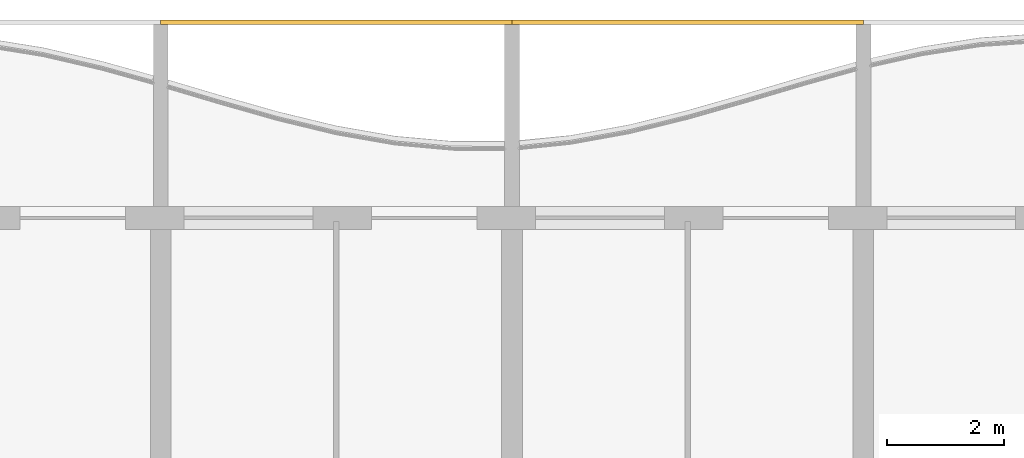
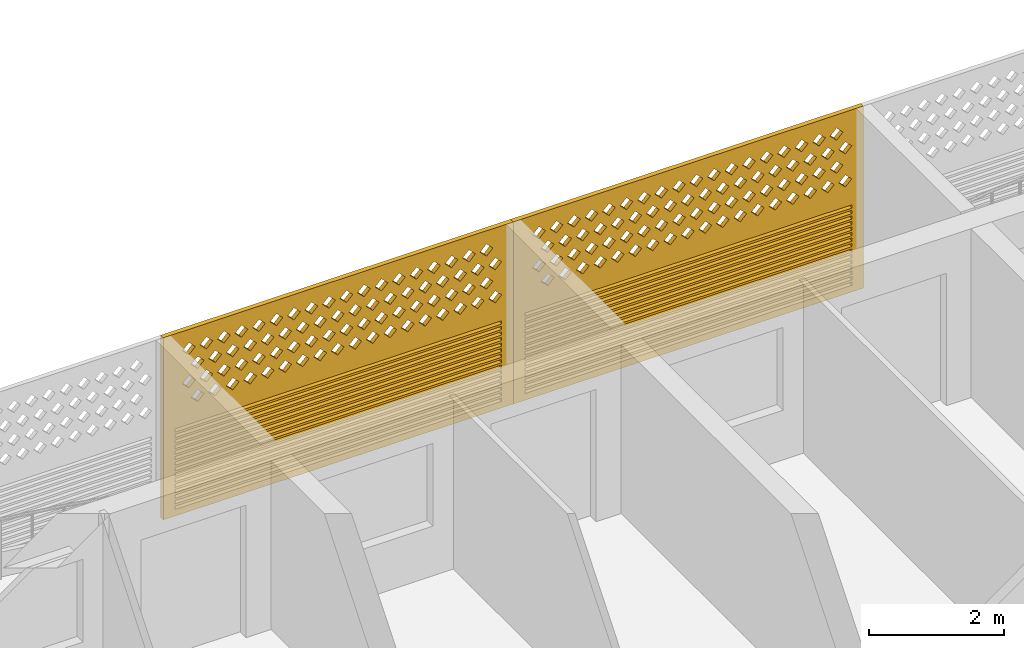
# One storey, part 28 of 30: 2 coverings.
"""IFC4 building model written with IfcOpenShell, lengths in metres."""

import ifcopenshell
import ifcopenshell.guid

model = None  # the IFC model being written
_history = None  # IfcOwnerHistory: only IFC2X3 demands one
_inside = {}  # id of a spatial element -> (the spatial element, [elements in it])
_under = {}  # id of a project, library or spatial element -> (it, [spatial elements below it])
_declared = {}  # id of a project -> (the project, [libraries it declares])
_typed = {}  # id of a type object -> (the type object, [elements of that type])
_made_of = {}  # id of a material, layer set ... -> (it, [elements and type objects made of it])


def new_model(schema):
    """Start an empty IFC model of exactly this schema.

    Asked for "IFC4X3", IfcOpenShell would pick the latest addendum, in which some entities
    have other attributes; the version numbers below select the first issue.
    IFC2X3 requires an IfcOwnerHistory on every rooted entity: one is made here for all.
    """
    global model, _history
    if schema == "IFC4X3":
        model = ifcopenshell.file(schema_version=(4, 3, 0, 0))
    else:
        model = ifcopenshell.file(schema=schema)
    _inside.clear()
    _under.clear()
    _declared.clear()
    _typed.clear()
    _made_of.clear()
    _history = None
    if model.schema == "IFC2X3":
        org = make("IfcOrganization", Name="unknown")
        user = make(
            "IfcPersonAndOrganization",
            ThePerson=make("IfcPerson", FamilyName="unknown"),
            TheOrganization=org,
        )
        app = make(
            "IfcApplication",
            ApplicationDeveloper=org,
            Version="unknown",
            ApplicationFullName="unknown",
            ApplicationIdentifier="unknown",
        )
        _history = make(
            "IfcOwnerHistory",
            OwningUser=user,
            OwningApplication=app,
            ChangeAction="ADDED",
            CreationDate=0,
        )
    return model


def make(cls, **values):
    """One entity of the class cls with the attributes given. An attribute that is None is left unset."""
    return model.create_entity(
        cls, **{name: value for name, value in values.items() if value is not None}
    )


def rooted(cls, **values):
    """An entity with a GlobalId (a new one), such as an element, a storey or a relation."""
    return make(cls, GlobalId=ifcopenshell.guid.new(), OwnerHistory=_history, **values)


def si_unit(unit_type, name, prefix=None):
    """IfcSIUnit, for example si_unit("LENGTHUNIT", "METRE", prefix="MILLI")."""
    return make("IfcSIUnit", UnitType=unit_type, Prefix=prefix, Name=name)


def assignment(units):
    """IfcUnitAssignment: the units of a project."""
    return None if units is None else make("IfcUnitAssignment", Units=units)


def point(xyz):
    """IfcCartesianPoint."""
    return None if xyz is None else make("IfcCartesianPoint", Coordinates=xyz)


def direction(xyz):
    """IfcDirection."""
    return None if xyz is None else make("IfcDirection", DirectionRatios=xyz)


def frame(location, z_axis=None, x_axis=None):
    """IfcAxis2Placement3D, a coordinate frame: its origin and axes. An axis left out is left unset."""
    return make(
        "IfcAxis2Placement3D",
        Location=point(location),
        Axis=direction(z_axis),
        RefDirection=direction(x_axis),
    )


def origin():
    """The frame at (0, 0, 0) with its axes left unset."""
    return frame((0.0, 0.0, 0.0))


def place(relative_to, where):
    """IfcLocalPlacement: puts the frame where relative to a parent placement (None: the world)."""
    return make(
        "IfcLocalPlacement", PlacementRelTo=relative_to, RelativePlacement=where
    )


def context(
    kind, dimensions, precision=None, world=None, true_north=None, identifier=None
):
    """IfcGeometricRepresentationContext, for example the 3D "Model" context."""
    return make(
        "IfcGeometricRepresentationContext",
        ContextIdentifier=identifier,
        ContextType=kind,
        CoordinateSpaceDimension=dimensions,
        Precision=precision,
        WorldCoordinateSystem=world,
        TrueNorth=true_north,
    )


def subcontext(parent, identifier, kind, view, scale=None):
    """IfcGeometricRepresentationSubContext, for example "Body" below "Model"."""
    return make(
        "IfcGeometricRepresentationSubContext",
        ContextIdentifier=identifier,
        ContextType=kind,
        ParentContext=parent,
        TargetScale=scale,
        TargetView=view,
    )


def project(units=None, contexts=None):
    """IfcProject with its units and contexts."""
    return rooted(
        "IfcProject",
        Name="project",
        RepresentationContexts=contexts,
        UnitsInContext=assignment(units),
    )


def spatial(cls, under=None, at=None, **own):
    """A site, building, storey or space (cls), placed at a placement, below another one or the project."""
    s = rooted(cls, ObjectPlacement=at, **own)
    if under is not None:
        _under.setdefault(under.id(), (under, []))[1].append(s)
    return s


def polyline(points):
    """IfcPolyline through the points."""
    return make("IfcPolyline", Points=[point(p) for p in points])


def outline(outer, holes=None, kind="AREA"):
    """IfcArbitraryClosedProfileDef: a profile drawn as a closed curve; with holes, ...WithVoids."""
    if holes is None:
        return make("IfcArbitraryClosedProfileDef", ProfileType=kind, OuterCurve=outer)
    return make(
        "IfcArbitraryProfileDefWithVoids",
        ProfileType=kind,
        OuterCurve=outer,
        InnerCurves=holes,
    )


def extrude(swept, where, along, depth):
    """IfcExtrudedAreaSolid: the profile swept, set in the frame where, extruded along a direction by depth."""
    return make(
        "IfcExtrudedAreaSolid",
        SweptArea=swept,
        Position=where,
        ExtrudedDirection=direction(along),
        Depth=depth,
    )


def shape(context_of_items, identifier, shape_type, items):
    """IfcShapeRepresentation: the items that make up one representation, for example the "Body"."""
    return make(
        "IfcShapeRepresentation",
        ContextOfItems=context_of_items,
        RepresentationIdentifier=identifier,
        RepresentationType=shape_type,
        Items=items,
    )


def source(mapping_origin, context_of_items, identifier, shape_type, items):
    """IfcRepresentationMap: a shape defined once, which mapped items show again and again."""
    return make(
        "IfcRepresentationMap",
        MappingOrigin=mapping_origin,
        MappedRepresentation=shape(context_of_items, identifier, shape_type, items),
    )


def transform(
    local_origin,
    x_axis=None,
    y_axis=None,
    z_axis=None,
    scale=None,
    scale2=None,
    scale3=None,
    uniform=True,
):
    """IfcCartesianTransformationOperator3D, or its non-uniform kind. x_axis, y_axis, z_axis: its Axis1, 2, 3."""
    if uniform:
        return make(
            "IfcCartesianTransformationOperator3D",
            Axis1=direction(x_axis),
            Axis2=direction(y_axis),
            LocalOrigin=point(local_origin),
            Scale=scale,
            Axis3=direction(z_axis),
        )
    return make(
        "IfcCartesianTransformationOperator3DnonUniform",
        Axis1=direction(x_axis),
        Axis2=direction(y_axis),
        LocalOrigin=point(local_origin),
        Scale=scale,
        Axis3=direction(z_axis),
        Scale2=scale2,
        Scale3=scale3,
    )


def mapped(mapping_source, mapping_target):
    """IfcMappedItem: shows the shape of a source again, moved by a transform."""
    return make(
        "IfcMappedItem", MappingSource=mapping_source, MappingTarget=mapping_target
    )


def material(Name=None, Category=None):
    """IfcMaterial."""
    return make("IfcMaterial", Name=Name, Category=Category)


def material_profile(
    of_material, cross_section, Name=None, Category=None, Priority=None
):
    """IfcMaterialProfile: a cross section and its material."""
    return make(
        "IfcMaterialProfile",
        Name=Name,
        Material=of_material,
        Profile=cross_section,
        Priority=Priority,
        Category=Category,
    )


def profile_set(profiles, Name=None, composite=None):
    """IfcMaterialProfileSet."""
    return make(
        "IfcMaterialProfileSet",
        Name=Name,
        MaterialProfiles=profiles,
        CompositeProfile=composite,
    )


def made_of(thing, what):
    """Note that an element or type object is made of a material, layer set ...; save() writes the relation."""
    if what is not None:
        _made_of.setdefault(what.id(), (what, []))[1].append(thing)
    return thing


def type_object(cls, material=None, **own):
    """A type object (cls), such as IfcWallType, which elements share."""
    return made_of(rooted(cls, **own), material)


def element(
    cls,
    number,
    at=None,
    inside=None,
    cuts=None,
    type_object=None,
    material=None,
    context=None,
    identifier="Body",
    shape_type=None,
    held_by="IfcProductDefinitionShape",
    body=None,
    shapes=None,
    **own,
):
    """One element of the class cls, such as IfcWall. Its Tag is "e" and its number.

    at: its placement. inside: the storey or other place that contains it. cuts: it is an
    opening in that element (IfcRelVoidsElement). A single representation is given by context,
    identifier, shape_type and body (its items); several are given by shapes. held_by: the class
    of the entity that holds the representations. save() writes the other relations.
    """
    e = rooted(cls, Tag="e%d" % number, ObjectPlacement=at, **own)
    if body is not None:
        shapes = [shape(context, identifier, shape_type, body)]
    if shapes is not None:
        e.Representation = make(held_by, Representations=shapes)
    if inside is not None:
        _inside.setdefault(inside.id(), (inside, []))[1].append(e)
    if cuts is not None:
        rooted(
            "IfcRelVoidsElement", RelatingBuildingElement=cuts, RelatedOpeningElement=e
        )
    if type_object is not None:
        _typed.setdefault(type_object.id(), (type_object, []))[1].append(e)
    return made_of(e, material)


def aggregate(whole, parts):
    """IfcRelAggregates: a whole, such as a stair, and the parts it consists of."""
    return rooted("IfcRelAggregates", RelatingObject=whole, RelatedObjects=parts)


def save(model, path):
    """Write the relations noted so far, then the file.

    IfcRelAggregates (storeys below a building ...), IfcRelContainedInSpatialStructure (elements
    in a storey), IfcRelDefinesByType, IfcRelAssociatesMaterial and IfcRelDeclares: one each for
    every whole, place, type object, material and project.
    """
    for whole, parts in _under.values():
        aggregate(whole, parts)
    for where, things in _inside.values():
        rooted(
            "IfcRelContainedInSpatialStructure",
            RelatedElements=things,
            RelatingStructure=where,
        )
    for kind, things in _typed.values():
        rooted("IfcRelDefinesByType", RelatedObjects=things, RelatingType=kind)
    for what, things in _made_of.values():
        rooted("IfcRelAssociatesMaterial", RelatedObjects=things, RelatingMaterial=what)
    for by, libraries in _declared.values():
        rooted("IfcRelDeclares", RelatingContext=by, RelatedDefinitions=libraries)
    model.write(path)


model = new_model("IFC4")

# Units and contexts
model_context = context("Model", 3, precision=1e-05, world=origin(), true_north=direction((0.0, 1.0)))
body_context = subcontext(model_context, "Body", "Model", "MODEL_VIEW")
ifc_project = project(units=[si_unit("LENGTHUNIT", "METRE"), si_unit("AREAUNIT", "SQUARE_METRE"), si_unit("VOLUMEUNIT", "CUBIC_METRE"), si_unit("PLANEANGLEUNIT", "RADIAN"), si_unit("MASSUNIT", "GRAM", prefix="KILO")], contexts=[model_context])

# Site, building, storey
site_placement = place(None, origin())
site = spatial("IfcSite", under=ifc_project, at=site_placement, CompositionType="ELEMENT")
building_placement = place(site_placement, origin())
building = spatial("IfcBuilding", under=site, at=building_placement, Name="Poui Terraces", CompositionType="ELEMENT")
storey_placement = place(building_placement, frame((0.0, 0.0, 99.300048828125)))
storey = spatial("IfcBuildingStorey", under=building, at=storey_placement, Name="L27", CompositionType="ELEMENT", Elevation=99.300048828125)

# Coverings
ifc_material = material(Name="Terracotta screen", Category="masonry")
ifc_material_profile = material_profile(ifc_material, outline(polyline([(-3.0, -1.64990234375), (3.0, -1.64990234375), (3.0, 1.64990234375), (-3.0, 1.64990234375), (-3.0, -1.64990234375)]), holes=[polyline([(-2.800048828125, 0.39990234375), (-2.68994140625, 0.2900390625), (-2.580078125, 0.39990234375), (-2.68994140625, 0.510009765625), (-2.800048828125, 0.39990234375)]), polyline([(-2.5, 0.39990234375), (-2.389892578125, 0.2900390625), (-2.280029296875, 0.39990234375), (-2.389892578125, 0.510009765625), (-2.5, 0.39990234375)]), polyline([(-2.199951171875, 0.39990234375), (-2.090087890625, 0.2900390625), (-1.97998046875, 0.39990234375), (-2.090087890625, 0.510009765625), (-2.199951171875, 0.39990234375)]), polyline([(-1.89990234375, 0.39990234375), (-1.7900390625, 0.2900390625), (-1.679931640625, 0.39990234375), (-1.7900390625, 0.510009765625), (-1.89990234375, 0.39990234375)]), polyline([(-1.60009765625, 0.39990234375), (-1.489990234375, 0.2900390625), (-1.3798828125, 0.39990234375), (-1.489990234375, 0.510009765625), (-1.60009765625, 0.39990234375)]), polyline([(-1.300048828125, 0.39990234375), (-1.18994140625, 0.2900390625), (-1.080078125, 0.39990234375), (-1.18994140625, 0.510009765625), (-1.300048828125, 0.39990234375)]), polyline([(-1.0, 0.39990234375), (-0.889892578125, 0.2900390625), (-0.780029296875, 0.39990234375), (-0.889892578125, 0.510009765625), (-1.0, 0.39990234375)]), polyline([(-0.699951171875, 0.39990234375), (-0.590087890625, 0.2900390625), (-0.47998046875, 0.39990234375), (-0.590087890625, 0.510009765625), (-0.699951171875, 0.39990234375)]), polyline([(-0.39990234375, 0.39990234375), (-0.2900390625, 0.2900390625), (-0.179931640625, 0.39990234375), (-0.2900390625, 0.510009765625), (-0.39990234375, 0.39990234375)]), polyline([(-0.10009765625, 0.39990234375), (0.010009765625, 0.2900390625), (0.1201171875, 0.39990234375), (0.010009765625, 0.510009765625), (-0.10009765625, 0.39990234375)]), polyline([(0.199951171875, 0.39990234375), (0.31005859375, 0.2900390625), (0.419921875, 0.39990234375), (0.31005859375, 0.510009765625), (0.199951171875, 0.39990234375)]), polyline([(0.5, 0.39990234375), (0.610107421875, 0.2900390625), (0.719970703125, 0.39990234375), (0.610107421875, 0.510009765625), (0.5, 0.39990234375)]), polyline([(0.800048828125, 0.39990234375), (0.909912109375, 0.2900390625), (1.02001953125, 0.39990234375), (0.909912109375, 0.510009765625), (0.800048828125, 0.39990234375)]), polyline([(1.10009765625, 0.39990234375), (1.2099609375, 0.2900390625), (1.320068359375, 0.39990234375), (1.2099609375, 0.510009765625), (1.10009765625, 0.39990234375)]), polyline([(1.39990234375, 0.39990234375), (1.510009765625, 0.2900390625), (1.6201171875, 0.39990234375), (1.510009765625, 0.510009765625), (1.39990234375, 0.39990234375)]), polyline([(1.699951171875, 0.39990234375), (1.81005859375, 0.2900390625), (1.919921875, 0.39990234375), (1.81005859375, 0.510009765625), (1.699951171875, 0.39990234375)]), polyline([(2.0, 0.39990234375), (2.110107421875, 0.2900390625), (2.219970703125, 0.39990234375), (2.110107421875, 0.510009765625), (2.0, 0.39990234375)]), polyline([(2.300048828125, 0.39990234375), (2.409912109375, 0.2900390625), (2.52001953125, 0.39990234375), (2.409912109375, 0.510009765625), (2.300048828125, 0.39990234375)]), polyline([(-2.64990234375, 0.699951171875), (-2.5400390625, 0.590087890625), (-2.429931640625, 0.699951171875), (-2.5400390625, 0.81005859375), (-2.64990234375, 0.699951171875)]), polyline([(-2.35009765625, 0.699951171875), (-2.239990234375, 0.590087890625), (-2.1298828125, 0.699951171875), (-2.239990234375, 0.81005859375), (-2.35009765625, 0.699951171875)]), polyline([(-2.050048828125, 0.699951171875), (-1.93994140625, 0.590087890625), (-1.830078125, 0.699951171875), (-1.93994140625, 0.81005859375), (-2.050048828125, 0.699951171875)]), polyline([(-1.75, 0.699951171875), (-1.639892578125, 0.590087890625), (-1.530029296875, 0.699951171875), (-1.639892578125, 0.81005859375), (-1.75, 0.699951171875)]), polyline([(-1.449951171875, 0.699951171875), (-1.340087890625, 0.590087890625), (-1.22998046875, 0.699951171875), (-1.340087890625, 0.81005859375), (-1.449951171875, 0.699951171875)]), polyline([(-1.14990234375, 0.699951171875), (-1.0400390625, 0.590087890625), (-0.929931640625, 0.699951171875), (-1.0400390625, 0.81005859375), (-1.14990234375, 0.699951171875)]), polyline([(-0.85009765625, 0.699951171875), (-0.739990234375, 0.590087890625), (-0.6298828125, 0.699951171875), (-0.739990234375, 0.81005859375), (-0.85009765625, 0.699951171875)]), polyline([(-0.550048828125, 0.699951171875), (-0.43994140625, 0.590087890625), (-0.330078125, 0.699951171875), (-0.43994140625, 0.81005859375), (-0.550048828125, 0.699951171875)]), polyline([(-0.25, 0.699951171875), (-0.139892578125, 0.590087890625), (-0.030029296875, 0.699951171875), (-0.139892578125, 0.81005859375), (-0.25, 0.699951171875)]), polyline([(0.050048828125, 0.699951171875), (0.159912109375, 0.590087890625), (0.27001953125, 0.699951171875), (0.159912109375, 0.81005859375), (0.050048828125, 0.699951171875)]), polyline([(0.35009765625, 0.699951171875), (0.4599609375, 0.590087890625), (0.570068359375, 0.699951171875), (0.4599609375, 0.81005859375), (0.35009765625, 0.699951171875)]), polyline([(0.64990234375, 0.699951171875), (0.760009765625, 0.590087890625), (0.8701171875, 0.699951171875), (0.760009765625, 0.81005859375), (0.64990234375, 0.699951171875)]), polyline([(0.949951171875, 0.699951171875), (1.06005859375, 0.590087890625), (1.169921875, 0.699951171875), (1.06005859375, 0.81005859375), (0.949951171875, 0.699951171875)]), polyline([(1.25, 0.699951171875), (1.360107421875, 0.590087890625), (1.469970703125, 0.699951171875), (1.360107421875, 0.81005859375), (1.25, 0.699951171875)]), polyline([(1.550048828125, 0.699951171875), (1.659912109375, 0.590087890625), (1.77001953125, 0.699951171875), (1.659912109375, 0.81005859375), (1.550048828125, 0.699951171875)]), polyline([(1.85009765625, 0.699951171875), (1.9599609375, 0.590087890625), (2.070068359375, 0.699951171875), (1.9599609375, 0.81005859375), (1.85009765625, 0.699951171875)]), polyline([(2.14990234375, 0.699951171875), (2.260009765625, 0.590087890625), (2.3701171875, 0.699951171875), (2.260009765625, 0.81005859375), (2.14990234375, 0.699951171875)]), polyline([(2.449951171875, 0.699951171875), (2.56005859375, 0.590087890625), (2.669921875, 0.699951171875), (2.56005859375, 0.81005859375), (2.449951171875, 0.699951171875)]), polyline([(-2.800048828125, 1.0), (-2.68994140625, 0.889892578125), (-2.580078125, 1.0), (-2.68994140625, 1.110107421875), (-2.800048828125, 1.0)]), polyline([(-2.5, 1.0), (-2.389892578125, 0.889892578125), (-2.280029296875, 1.0), (-2.389892578125, 1.110107421875), (-2.5, 1.0)]), polyline([(-2.199951171875, 1.0), (-2.090087890625, 0.889892578125), (-1.97998046875, 1.0), (-2.090087890625, 1.110107421875), (-2.199951171875, 1.0)]), polyline([(-1.89990234375, 1.0), (-1.7900390625, 0.889892578125), (-1.679931640625, 1.0), (-1.7900390625, 1.110107421875), (-1.89990234375, 1.0)]), polyline([(-1.60009765625, 1.0), (-1.489990234375, 0.889892578125), (-1.3798828125, 1.0), (-1.489990234375, 1.110107421875), (-1.60009765625, 1.0)]), polyline([(-1.300048828125, 1.0), (-1.18994140625, 0.889892578125), (-1.080078125, 1.0), (-1.18994140625, 1.110107421875), (-1.300048828125, 1.0)]), polyline([(-1.0, 1.0), (-0.889892578125, 0.889892578125), (-0.780029296875, 1.0), (-0.889892578125, 1.110107421875), (-1.0, 1.0)]), polyline([(-0.699951171875, 1.0), (-0.590087890625, 0.889892578125), (-0.47998046875, 1.0), (-0.590087890625, 1.110107421875), (-0.699951171875, 1.0)]), polyline([(-0.39990234375, 1.0), (-0.2900390625, 0.889892578125), (-0.179931640625, 1.0), (-0.2900390625, 1.110107421875), (-0.39990234375, 1.0)]), polyline([(-0.10009765625, 1.0), (0.010009765625, 0.889892578125), (0.1201171875, 1.0), (0.010009765625, 1.110107421875), (-0.10009765625, 1.0)]), polyline([(0.199951171875, 1.0), (0.31005859375, 0.889892578125), (0.419921875, 1.0), (0.31005859375, 1.110107421875), (0.199951171875, 1.0)]), polyline([(0.5, 1.0), (0.610107421875, 0.889892578125), (0.719970703125, 1.0), (0.610107421875, 1.110107421875), (0.5, 1.0)]), polyline([(0.800048828125, 1.0), (0.909912109375, 0.889892578125), (1.02001953125, 1.0), (0.909912109375, 1.110107421875), (0.800048828125, 1.0)]), polyline([(1.10009765625, 1.0), (1.2099609375, 0.889892578125), (1.320068359375, 1.0), (1.2099609375, 1.110107421875), (1.10009765625, 1.0)]), polyline([(1.39990234375, 1.0), (1.510009765625, 0.889892578125), (1.6201171875, 1.0), (1.510009765625, 1.110107421875), (1.39990234375, 1.0)]), polyline([(1.699951171875, 1.0), (1.81005859375, 0.889892578125), (1.919921875, 1.0), (1.81005859375, 1.110107421875), (1.699951171875, 1.0)]), polyline([(2.0, 1.0), (2.110107421875, 0.889892578125), (2.219970703125, 1.0), (2.110107421875, 1.110107421875), (2.0, 1.0)]), polyline([(2.300048828125, 1.0), (2.409912109375, 0.889892578125), (2.52001953125, 1.0), (2.409912109375, 1.110107421875), (2.300048828125, 1.0)]), polyline([(-2.64990234375, 1.300048828125), (-2.5400390625, 1.18994140625), (-2.429931640625, 1.300048828125), (-2.5400390625, 1.409912109375), (-2.64990234375, 1.300048828125)]), polyline([(-2.35009765625, 1.300048828125), (-2.239990234375, 1.18994140625), (-2.1298828125, 1.300048828125), (-2.239990234375, 1.409912109375), (-2.35009765625, 1.300048828125)]), polyline([(-2.050048828125, 1.300048828125), (-1.93994140625, 1.18994140625), (-1.830078125, 1.300048828125), (-1.93994140625, 1.409912109375), (-2.050048828125, 1.300048828125)]), polyline([(-1.75, 1.300048828125), (-1.639892578125, 1.18994140625), (-1.530029296875, 1.300048828125), (-1.639892578125, 1.409912109375), (-1.75, 1.300048828125)]), polyline([(-1.449951171875, 1.300048828125), (-1.340087890625, 1.18994140625), (-1.22998046875, 1.300048828125), (-1.340087890625, 1.409912109375), (-1.449951171875, 1.300048828125)]), polyline([(-1.14990234375, 1.300048828125), (-1.0400390625, 1.18994140625), (-0.929931640625, 1.300048828125), (-1.0400390625, 1.409912109375), (-1.14990234375, 1.300048828125)]), polyline([(-0.85009765625, 1.300048828125), (-0.739990234375, 1.18994140625), (-0.6298828125, 1.300048828125), (-0.739990234375, 1.409912109375), (-0.85009765625, 1.300048828125)]), polyline([(-0.550048828125, 1.300048828125), (-0.43994140625, 1.18994140625), (-0.330078125, 1.300048828125), (-0.43994140625, 1.409912109375), (-0.550048828125, 1.300048828125)]), polyline([(-0.25, 1.300048828125), (-0.139892578125, 1.18994140625), (-0.030029296875, 1.300048828125), (-0.139892578125, 1.409912109375), (-0.25, 1.300048828125)]), polyline([(0.050048828125, 1.300048828125), (0.159912109375, 1.18994140625), (0.27001953125, 1.300048828125), (0.159912109375, 1.409912109375), (0.050048828125, 1.300048828125)]), polyline([(0.35009765625, 1.300048828125), (0.4599609375, 1.18994140625), (0.570068359375, 1.300048828125), (0.4599609375, 1.409912109375), (0.35009765625, 1.300048828125)]), polyline([(0.64990234375, 1.300048828125), (0.760009765625, 1.18994140625), (0.8701171875, 1.300048828125), (0.760009765625, 1.409912109375), (0.64990234375, 1.300048828125)]), polyline([(0.949951171875, 1.300048828125), (1.06005859375, 1.18994140625), (1.169921875, 1.300048828125), (1.06005859375, 1.409912109375), (0.949951171875, 1.300048828125)]), polyline([(1.25, 1.300048828125), (1.360107421875, 1.18994140625), (1.469970703125, 1.300048828125), (1.360107421875, 1.409912109375), (1.25, 1.300048828125)]), polyline([(1.550048828125, 1.300048828125), (1.659912109375, 1.18994140625), (1.77001953125, 1.300048828125), (1.659912109375, 1.409912109375), (1.550048828125, 1.300048828125)]), polyline([(1.85009765625, 1.300048828125), (1.9599609375, 1.18994140625), (2.070068359375, 1.300048828125), (1.9599609375, 1.409912109375), (1.85009765625, 1.300048828125)]), polyline([(2.14990234375, 1.300048828125), (2.260009765625, 1.18994140625), (2.3701171875, 1.300048828125), (2.260009765625, 1.409912109375), (2.14990234375, 1.300048828125)]), polyline([(2.449951171875, 1.300048828125), (2.56005859375, 1.18994140625), (2.669921875, 1.300048828125), (2.56005859375, 1.409912109375), (2.449951171875, 1.300048828125)]), polyline([(-2.800048828125, -1.530029296875), (2.800048828125, -1.530029296875), (2.800048828125, -1.469970703125), (-2.800048828125, -1.469970703125), (-2.800048828125, -1.530029296875)]), polyline([(-2.800048828125, -1.429931640625), (2.800048828125, -1.429931640625), (2.800048828125, -1.3701171875), (-2.800048828125, -1.3701171875), (-2.800048828125, -1.429931640625)]), polyline([(-2.800048828125, -1.330078125), (2.800048828125, -1.330078125), (2.800048828125, -1.27001953125), (-2.800048828125, -1.27001953125), (-2.800048828125, -1.330078125)]), polyline([(-2.800048828125, -1.22998046875), (2.800048828125, -1.22998046875), (2.800048828125, -1.169921875), (-2.800048828125, -1.169921875), (-2.800048828125, -1.22998046875)]), polyline([(-2.800048828125, -1.1298828125), (2.800048828125, -1.1298828125), (2.800048828125, -1.070068359375), (-2.800048828125, -1.070068359375), (-2.800048828125, -1.1298828125)]), polyline([(-2.800048828125, -1.030029296875), (2.800048828125, -1.030029296875), (2.800048828125, -0.969970703125), (-2.800048828125, -0.969970703125), (-2.800048828125, -1.030029296875)]), polyline([(-2.800048828125, -0.929931640625), (2.800048828125, -0.929931640625), (2.800048828125, -0.8701171875), (-2.800048828125, -0.8701171875), (-2.800048828125, -0.929931640625)]), polyline([(-2.800048828125, -0.830078125), (2.800048828125, -0.830078125), (2.800048828125, -0.77001953125), (-2.800048828125, -0.77001953125), (-2.800048828125, -0.830078125)]), polyline([(-2.800048828125, -0.72998046875), (2.800048828125, -0.72998046875), (2.800048828125, -0.669921875), (-2.800048828125, -0.669921875), (-2.800048828125, -0.72998046875)]), polyline([(-2.800048828125, -0.6298828125), (2.800048828125, -0.6298828125), (2.800048828125, -0.570068359375), (-2.800048828125, -0.570068359375), (-2.800048828125, -0.6298828125)]), polyline([(-2.800048828125, -0.530029296875), (2.800048828125, -0.530029296875), (2.800048828125, -0.469970703125), (-2.800048828125, -0.469970703125), (-2.800048828125, -0.530029296875)]), polyline([(-2.800048828125, -0.429931640625), (2.800048828125, -0.429931640625), (2.800048828125, -0.3701171875), (-2.800048828125, -0.3701171875), (-2.800048828125, -0.429931640625)]), polyline([(-2.800048828125, -0.330078125), (2.800048828125, -0.330078125), (2.800048828125, -0.27001953125), (-2.800048828125, -0.27001953125), (-2.800048828125, -0.330078125)]), polyline([(-2.800048828125, -0.22998046875), (2.800048828125, -0.22998046875), (2.800048828125, -0.169921875), (-2.800048828125, -0.169921875), (-2.800048828125, -0.22998046875)]), polyline([(-2.800048828125, -0.1298828125), (2.800048828125, -0.1298828125), (2.800048828125, -0.070068359375), (-2.800048828125, -0.070068359375), (-2.800048828125, -0.1298828125)])]), Name="TERRACOTTA SCREEN AND JALOUSIE LOUVRE 6000X3300")
ifc_profile_set = profile_set([ifc_material_profile], Name="Terracotta screen")
covering_type = type_object("IfcCoveringType", Name="TERRACOTTA SCREEN AND JALOUSIE LOUVRE 6000X3300", PredefinedType="CLADDING", material=ifc_profile_set)
shared_shape = source(origin(), body_context, "Body", "SweptSolid", [
    extrude(outline(polyline([(-3.0, -1.64990234375), (3.0, -1.64990234375), (3.0, 1.64990234375), (-3.0, 1.64990234375), (-3.0, -1.64990234375)]), holes=[polyline([(-2.800048828125, 0.39990234375), (-2.68994140625, 0.2900390625), (-2.580078125, 0.39990234375), (-2.68994140625, 0.510009765625), (-2.800048828125, 0.39990234375)]), polyline([(-2.5, 0.39990234375), (-2.389892578125, 0.2900390625), (-2.280029296875, 0.39990234375), (-2.389892578125, 0.510009765625), (-2.5, 0.39990234375)]), polyline([(-2.199951171875, 0.39990234375), (-2.090087890625, 0.2900390625), (-1.97998046875, 0.39990234375), (-2.090087890625, 0.510009765625), (-2.199951171875, 0.39990234375)]), polyline([(-1.89990234375, 0.39990234375), (-1.7900390625, 0.2900390625), (-1.679931640625, 0.39990234375), (-1.7900390625, 0.510009765625), (-1.89990234375, 0.39990234375)]), polyline([(-1.60009765625, 0.39990234375), (-1.489990234375, 0.2900390625), (-1.3798828125, 0.39990234375), (-1.489990234375, 0.510009765625), (-1.60009765625, 0.39990234375)]), polyline([(-1.300048828125, 0.39990234375), (-1.18994140625, 0.2900390625), (-1.080078125, 0.39990234375), (-1.18994140625, 0.510009765625), (-1.300048828125, 0.39990234375)]), polyline([(-1.0, 0.39990234375), (-0.889892578125, 0.2900390625), (-0.780029296875, 0.39990234375), (-0.889892578125, 0.510009765625), (-1.0, 0.39990234375)]), polyline([(-0.699951171875, 0.39990234375), (-0.590087890625, 0.2900390625), (-0.47998046875, 0.39990234375), (-0.590087890625, 0.510009765625), (-0.699951171875, 0.39990234375)]), polyline([(-0.39990234375, 0.39990234375), (-0.2900390625, 0.2900390625), (-0.179931640625, 0.39990234375), (-0.2900390625, 0.510009765625), (-0.39990234375, 0.39990234375)]), polyline([(-0.10009765625, 0.39990234375), (0.010009765625, 0.2900390625), (0.1201171875, 0.39990234375), (0.010009765625, 0.510009765625), (-0.10009765625, 0.39990234375)]), polyline([(0.199951171875, 0.39990234375), (0.31005859375, 0.2900390625), (0.419921875, 0.39990234375), (0.31005859375, 0.510009765625), (0.199951171875, 0.39990234375)]), polyline([(0.5, 0.39990234375), (0.610107421875, 0.2900390625), (0.719970703125, 0.39990234375), (0.610107421875, 0.510009765625), (0.5, 0.39990234375)]), polyline([(0.800048828125, 0.39990234375), (0.909912109375, 0.2900390625), (1.02001953125, 0.39990234375), (0.909912109375, 0.510009765625), (0.800048828125, 0.39990234375)]), polyline([(1.10009765625, 0.39990234375), (1.2099609375, 0.2900390625), (1.320068359375, 0.39990234375), (1.2099609375, 0.510009765625), (1.10009765625, 0.39990234375)]), polyline([(1.39990234375, 0.39990234375), (1.510009765625, 0.2900390625), (1.6201171875, 0.39990234375), (1.510009765625, 0.510009765625), (1.39990234375, 0.39990234375)]), polyline([(1.699951171875, 0.39990234375), (1.81005859375, 0.2900390625), (1.919921875, 0.39990234375), (1.81005859375, 0.510009765625), (1.699951171875, 0.39990234375)]), polyline([(2.0, 0.39990234375), (2.110107421875, 0.2900390625), (2.219970703125, 0.39990234375), (2.110107421875, 0.510009765625), (2.0, 0.39990234375)]), polyline([(2.300048828125, 0.39990234375), (2.409912109375, 0.2900390625), (2.52001953125, 0.39990234375), (2.409912109375, 0.510009765625), (2.300048828125, 0.39990234375)]), polyline([(-2.64990234375, 0.699951171875), (-2.5400390625, 0.590087890625), (-2.429931640625, 0.699951171875), (-2.5400390625, 0.81005859375), (-2.64990234375, 0.699951171875)]), polyline([(-2.35009765625, 0.699951171875), (-2.239990234375, 0.590087890625), (-2.1298828125, 0.699951171875), (-2.239990234375, 0.81005859375), (-2.35009765625, 0.699951171875)]), polyline([(-2.050048828125, 0.699951171875), (-1.93994140625, 0.590087890625), (-1.830078125, 0.699951171875), (-1.93994140625, 0.81005859375), (-2.050048828125, 0.699951171875)]), polyline([(-1.75, 0.699951171875), (-1.639892578125, 0.590087890625), (-1.530029296875, 0.699951171875), (-1.639892578125, 0.81005859375), (-1.75, 0.699951171875)]), polyline([(-1.449951171875, 0.699951171875), (-1.340087890625, 0.590087890625), (-1.22998046875, 0.699951171875), (-1.340087890625, 0.81005859375), (-1.449951171875, 0.699951171875)]), polyline([(-1.14990234375, 0.699951171875), (-1.0400390625, 0.590087890625), (-0.929931640625, 0.699951171875), (-1.0400390625, 0.81005859375), (-1.14990234375, 0.699951171875)]), polyline([(-0.85009765625, 0.699951171875), (-0.739990234375, 0.590087890625), (-0.6298828125, 0.699951171875), (-0.739990234375, 0.81005859375), (-0.85009765625, 0.699951171875)]), polyline([(-0.550048828125, 0.699951171875), (-0.43994140625, 0.590087890625), (-0.330078125, 0.699951171875), (-0.43994140625, 0.81005859375), (-0.550048828125, 0.699951171875)]), polyline([(-0.25, 0.699951171875), (-0.139892578125, 0.590087890625), (-0.030029296875, 0.699951171875), (-0.139892578125, 0.81005859375), (-0.25, 0.699951171875)]), polyline([(0.050048828125, 0.699951171875), (0.159912109375, 0.590087890625), (0.27001953125, 0.699951171875), (0.159912109375, 0.81005859375), (0.050048828125, 0.699951171875)]), polyline([(0.35009765625, 0.699951171875), (0.4599609375, 0.590087890625), (0.570068359375, 0.699951171875), (0.4599609375, 0.81005859375), (0.35009765625, 0.699951171875)]), polyline([(0.64990234375, 0.699951171875), (0.760009765625, 0.590087890625), (0.8701171875, 0.699951171875), (0.760009765625, 0.81005859375), (0.64990234375, 0.699951171875)]), polyline([(0.949951171875, 0.699951171875), (1.06005859375, 0.590087890625), (1.169921875, 0.699951171875), (1.06005859375, 0.81005859375), (0.949951171875, 0.699951171875)]), polyline([(1.25, 0.699951171875), (1.360107421875, 0.590087890625), (1.469970703125, 0.699951171875), (1.360107421875, 0.81005859375), (1.25, 0.699951171875)]), polyline([(1.550048828125, 0.699951171875), (1.659912109375, 0.590087890625), (1.77001953125, 0.699951171875), (1.659912109375, 0.81005859375), (1.550048828125, 0.699951171875)]), polyline([(1.85009765625, 0.699951171875), (1.9599609375, 0.590087890625), (2.070068359375, 0.699951171875), (1.9599609375, 0.81005859375), (1.85009765625, 0.699951171875)]), polyline([(2.14990234375, 0.699951171875), (2.260009765625, 0.590087890625), (2.3701171875, 0.699951171875), (2.260009765625, 0.81005859375), (2.14990234375, 0.699951171875)]), polyline([(2.449951171875, 0.699951171875), (2.56005859375, 0.590087890625), (2.669921875, 0.699951171875), (2.56005859375, 0.81005859375), (2.449951171875, 0.699951171875)]), polyline([(-2.800048828125, 1.0), (-2.68994140625, 0.889892578125), (-2.580078125, 1.0), (-2.68994140625, 1.110107421875), (-2.800048828125, 1.0)]), polyline([(-2.5, 1.0), (-2.389892578125, 0.889892578125), (-2.280029296875, 1.0), (-2.389892578125, 1.110107421875), (-2.5, 1.0)]), polyline([(-2.199951171875, 1.0), (-2.090087890625, 0.889892578125), (-1.97998046875, 1.0), (-2.090087890625, 1.110107421875), (-2.199951171875, 1.0)]), polyline([(-1.89990234375, 1.0), (-1.7900390625, 0.889892578125), (-1.679931640625, 1.0), (-1.7900390625, 1.110107421875), (-1.89990234375, 1.0)]), polyline([(-1.60009765625, 1.0), (-1.489990234375, 0.889892578125), (-1.3798828125, 1.0), (-1.489990234375, 1.110107421875), (-1.60009765625, 1.0)]), polyline([(-1.300048828125, 1.0), (-1.18994140625, 0.889892578125), (-1.080078125, 1.0), (-1.18994140625, 1.110107421875), (-1.300048828125, 1.0)]), polyline([(-1.0, 1.0), (-0.889892578125, 0.889892578125), (-0.780029296875, 1.0), (-0.889892578125, 1.110107421875), (-1.0, 1.0)]), polyline([(-0.699951171875, 1.0), (-0.590087890625, 0.889892578125), (-0.47998046875, 1.0), (-0.590087890625, 1.110107421875), (-0.699951171875, 1.0)]), polyline([(-0.39990234375, 1.0), (-0.2900390625, 0.889892578125), (-0.179931640625, 1.0), (-0.2900390625, 1.110107421875), (-0.39990234375, 1.0)]), polyline([(-0.10009765625, 1.0), (0.010009765625, 0.889892578125), (0.1201171875, 1.0), (0.010009765625, 1.110107421875), (-0.10009765625, 1.0)]), polyline([(0.199951171875, 1.0), (0.31005859375, 0.889892578125), (0.419921875, 1.0), (0.31005859375, 1.110107421875), (0.199951171875, 1.0)]), polyline([(0.5, 1.0), (0.610107421875, 0.889892578125), (0.719970703125, 1.0), (0.610107421875, 1.110107421875), (0.5, 1.0)]), polyline([(0.800048828125, 1.0), (0.909912109375, 0.889892578125), (1.02001953125, 1.0), (0.909912109375, 1.110107421875), (0.800048828125, 1.0)]), polyline([(1.10009765625, 1.0), (1.2099609375, 0.889892578125), (1.320068359375, 1.0), (1.2099609375, 1.110107421875), (1.10009765625, 1.0)]), polyline([(1.39990234375, 1.0), (1.510009765625, 0.889892578125), (1.6201171875, 1.0), (1.510009765625, 1.110107421875), (1.39990234375, 1.0)]), polyline([(1.699951171875, 1.0), (1.81005859375, 0.889892578125), (1.919921875, 1.0), (1.81005859375, 1.110107421875), (1.699951171875, 1.0)]), polyline([(2.0, 1.0), (2.110107421875, 0.889892578125), (2.219970703125, 1.0), (2.110107421875, 1.110107421875), (2.0, 1.0)]), polyline([(2.300048828125, 1.0), (2.409912109375, 0.889892578125), (2.52001953125, 1.0), (2.409912109375, 1.110107421875), (2.300048828125, 1.0)]), polyline([(-2.64990234375, 1.300048828125), (-2.5400390625, 1.18994140625), (-2.429931640625, 1.300048828125), (-2.5400390625, 1.409912109375), (-2.64990234375, 1.300048828125)]), polyline([(-2.35009765625, 1.300048828125), (-2.239990234375, 1.18994140625), (-2.1298828125, 1.300048828125), (-2.239990234375, 1.409912109375), (-2.35009765625, 1.300048828125)]), polyline([(-2.050048828125, 1.300048828125), (-1.93994140625, 1.18994140625), (-1.830078125, 1.300048828125), (-1.93994140625, 1.409912109375), (-2.050048828125, 1.300048828125)]), polyline([(-1.75, 1.300048828125), (-1.639892578125, 1.18994140625), (-1.530029296875, 1.300048828125), (-1.639892578125, 1.409912109375), (-1.75, 1.300048828125)]), polyline([(-1.449951171875, 1.300048828125), (-1.340087890625, 1.18994140625), (-1.22998046875, 1.300048828125), (-1.340087890625, 1.409912109375), (-1.449951171875, 1.300048828125)]), polyline([(-1.14990234375, 1.300048828125), (-1.0400390625, 1.18994140625), (-0.929931640625, 1.300048828125), (-1.0400390625, 1.409912109375), (-1.14990234375, 1.300048828125)]), polyline([(-0.85009765625, 1.300048828125), (-0.739990234375, 1.18994140625), (-0.6298828125, 1.300048828125), (-0.739990234375, 1.409912109375), (-0.85009765625, 1.300048828125)]), polyline([(-0.550048828125, 1.300048828125), (-0.43994140625, 1.18994140625), (-0.330078125, 1.300048828125), (-0.43994140625, 1.409912109375), (-0.550048828125, 1.300048828125)]), polyline([(-0.25, 1.300048828125), (-0.139892578125, 1.18994140625), (-0.030029296875, 1.300048828125), (-0.139892578125, 1.409912109375), (-0.25, 1.300048828125)]), polyline([(0.050048828125, 1.300048828125), (0.159912109375, 1.18994140625), (0.27001953125, 1.300048828125), (0.159912109375, 1.409912109375), (0.050048828125, 1.300048828125)]), polyline([(0.35009765625, 1.300048828125), (0.4599609375, 1.18994140625), (0.570068359375, 1.300048828125), (0.4599609375, 1.409912109375), (0.35009765625, 1.300048828125)]), polyline([(0.64990234375, 1.300048828125), (0.760009765625, 1.18994140625), (0.8701171875, 1.300048828125), (0.760009765625, 1.409912109375), (0.64990234375, 1.300048828125)]), polyline([(0.949951171875, 1.300048828125), (1.06005859375, 1.18994140625), (1.169921875, 1.300048828125), (1.06005859375, 1.409912109375), (0.949951171875, 1.300048828125)]), polyline([(1.25, 1.300048828125), (1.360107421875, 1.18994140625), (1.469970703125, 1.300048828125), (1.360107421875, 1.409912109375), (1.25, 1.300048828125)]), polyline([(1.550048828125, 1.300048828125), (1.659912109375, 1.18994140625), (1.77001953125, 1.300048828125), (1.659912109375, 1.409912109375), (1.550048828125, 1.300048828125)]), polyline([(1.85009765625, 1.300048828125), (1.9599609375, 1.18994140625), (2.070068359375, 1.300048828125), (1.9599609375, 1.409912109375), (1.85009765625, 1.300048828125)]), polyline([(2.14990234375, 1.300048828125), (2.260009765625, 1.18994140625), (2.3701171875, 1.300048828125), (2.260009765625, 1.409912109375), (2.14990234375, 1.300048828125)]), polyline([(2.449951171875, 1.300048828125), (2.56005859375, 1.18994140625), (2.669921875, 1.300048828125), (2.56005859375, 1.409912109375), (2.449951171875, 1.300048828125)]), polyline([(-2.800048828125, -1.530029296875), (2.800048828125, -1.530029296875), (2.800048828125, -1.469970703125), (-2.800048828125, -1.469970703125), (-2.800048828125, -1.530029296875)]), polyline([(-2.800048828125, -1.429931640625), (2.800048828125, -1.429931640625), (2.800048828125, -1.3701171875), (-2.800048828125, -1.3701171875), (-2.800048828125, -1.429931640625)]), polyline([(-2.800048828125, -1.330078125), (2.800048828125, -1.330078125), (2.800048828125, -1.27001953125), (-2.800048828125, -1.27001953125), (-2.800048828125, -1.330078125)]), polyline([(-2.800048828125, -1.22998046875), (2.800048828125, -1.22998046875), (2.800048828125, -1.169921875), (-2.800048828125, -1.169921875), (-2.800048828125, -1.22998046875)]), polyline([(-2.800048828125, -1.1298828125), (2.800048828125, -1.1298828125), (2.800048828125, -1.070068359375), (-2.800048828125, -1.070068359375), (-2.800048828125, -1.1298828125)]), polyline([(-2.800048828125, -1.030029296875), (2.800048828125, -1.030029296875), (2.800048828125, -0.969970703125), (-2.800048828125, -0.969970703125), (-2.800048828125, -1.030029296875)]), polyline([(-2.800048828125, -0.929931640625), (2.800048828125, -0.929931640625), (2.800048828125, -0.8701171875), (-2.800048828125, -0.8701171875), (-2.800048828125, -0.929931640625)]), polyline([(-2.800048828125, -0.830078125), (2.800048828125, -0.830078125), (2.800048828125, -0.77001953125), (-2.800048828125, -0.77001953125), (-2.800048828125, -0.830078125)]), polyline([(-2.800048828125, -0.72998046875), (2.800048828125, -0.72998046875), (2.800048828125, -0.669921875), (-2.800048828125, -0.669921875), (-2.800048828125, -0.72998046875)]), polyline([(-2.800048828125, -0.6298828125), (2.800048828125, -0.6298828125), (2.800048828125, -0.570068359375), (-2.800048828125, -0.570068359375), (-2.800048828125, -0.6298828125)]), polyline([(-2.800048828125, -0.530029296875), (2.800048828125, -0.530029296875), (2.800048828125, -0.469970703125), (-2.800048828125, -0.469970703125), (-2.800048828125, -0.530029296875)]), polyline([(-2.800048828125, -0.429931640625), (2.800048828125, -0.429931640625), (2.800048828125, -0.3701171875), (-2.800048828125, -0.3701171875), (-2.800048828125, -0.429931640625)]), polyline([(-2.800048828125, -0.330078125), (2.800048828125, -0.330078125), (2.800048828125, -0.27001953125), (-2.800048828125, -0.27001953125), (-2.800048828125, -0.330078125)]), polyline([(-2.800048828125, -0.22998046875), (2.800048828125, -0.22998046875), (2.800048828125, -0.169921875), (-2.800048828125, -0.169921875), (-2.800048828125, -0.22998046875)]), polyline([(-2.800048828125, -0.1298828125), (2.800048828125, -0.1298828125), (2.800048828125, -0.070068359375), (-2.800048828125, -0.070068359375), (-2.800048828125, -0.1298828125)])]), origin(), (0.0, 0.0, 1.0), 0.080078125),
])
for number, where, z_axis, x_axis, name in (
    (1, (75.0, 46.89990234375, 1.449951171875), (0.0, 1.0, 0.0), (-1.0, 0.0, 0.0), "SOLAR SCREEN AND JALOUSIE LOUVRE"),
    (2, (81.0, 46.89990234375, 1.449951171875), (0.0, 1.0, 0.0), (-1.0, 0.0, 0.0), "SOLAR SCREEN AND JALOUSIE LOUVRE"),
):
    element("IfcCovering", number, at=place(storey_placement, frame(where, z_axis=z_axis, x_axis=x_axis)), inside=storey, type_object=covering_type, Name=name, PredefinedType="CLADDING", context=body_context, shape_type="MappedRepresentation", body=[
        mapped(shared_shape, transform((0.0, 0.0, 0.0))),
    ])

save(model, "model.ifc")
